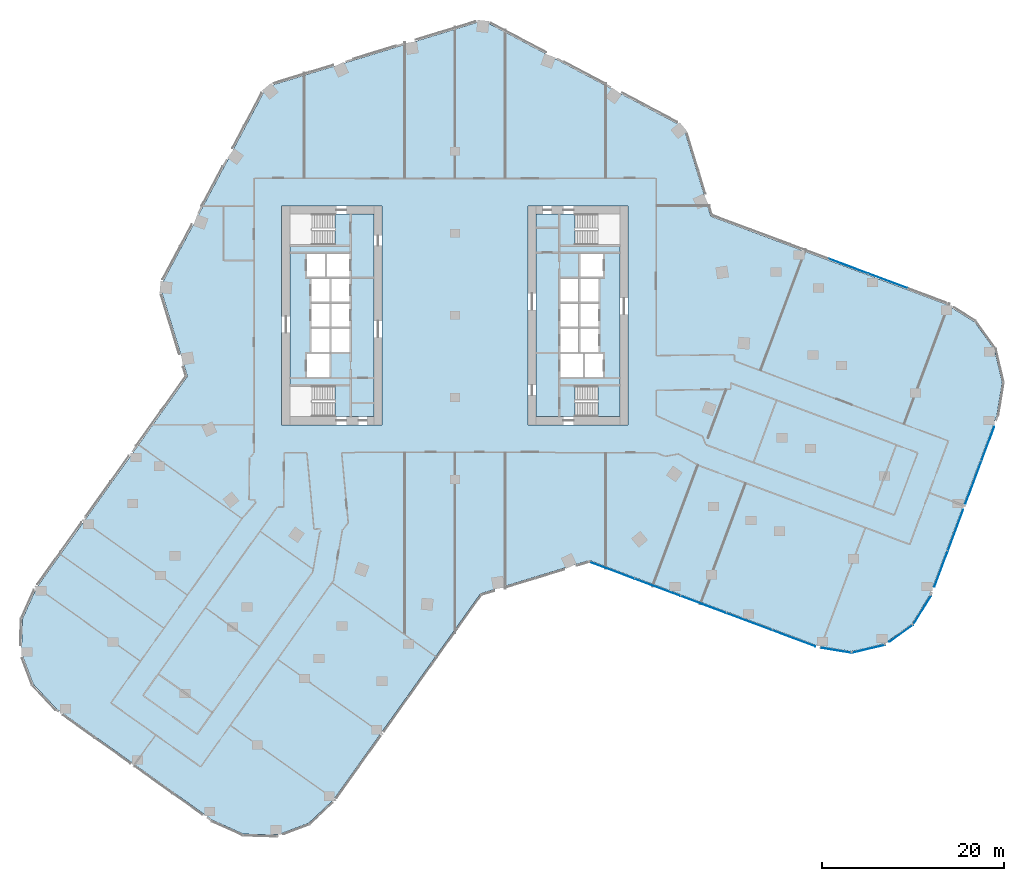
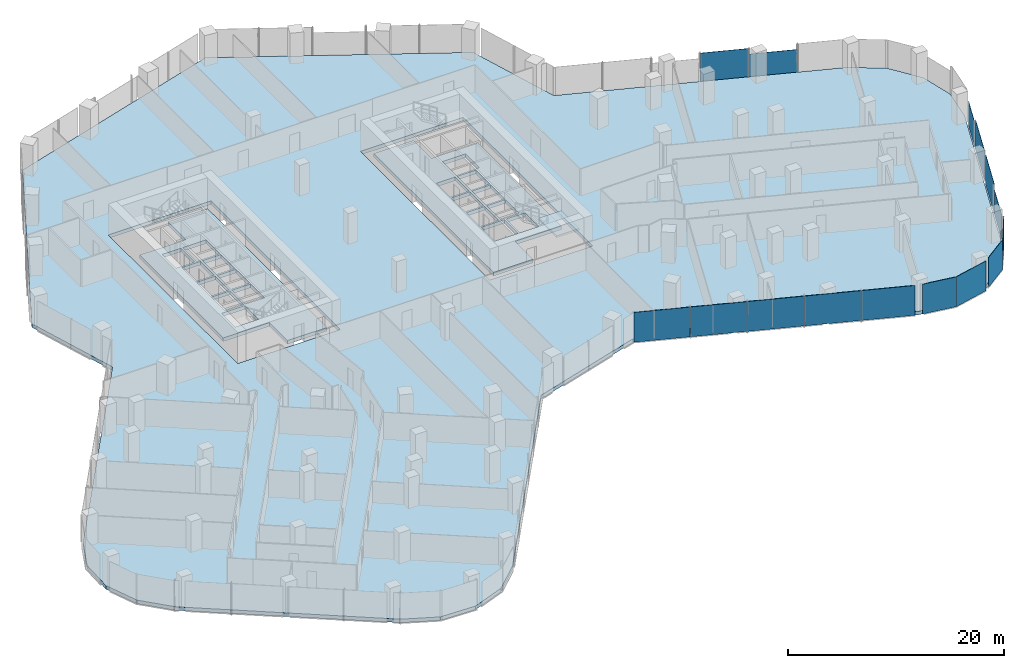
# One storey, part 19 of 31: 15 plates, 4 slabs, 8 elements without a shape of their own.
"""IFC4 building model written with IfcOpenShell, lengths in metres."""

import ifcopenshell
import ifcopenshell.guid

model = None  # the IFC model being written
_history = None  # IfcOwnerHistory: only IFC2X3 demands one
_inside = {}  # id of a spatial element -> (the spatial element, [elements in it])
_under = {}  # id of a project, library or spatial element -> (it, [spatial elements below it])
_declared = {}  # id of a project -> (the project, [libraries it declares])
_typed = {}  # id of a type object -> (the type object, [elements of that type])
_made_of = {}  # id of a material, layer set ... -> (it, [elements and type objects made of it])


def new_model(schema):
    """Start an empty IFC model of exactly this schema.

    Asked for "IFC4X3", IfcOpenShell would pick the latest addendum, in which some entities
    have other attributes; the version numbers below select the first issue.
    IFC2X3 requires an IfcOwnerHistory on every rooted entity: one is made here for all.
    """
    global model, _history
    if schema == "IFC4X3":
        model = ifcopenshell.file(schema_version=(4, 3, 0, 0))
    else:
        model = ifcopenshell.file(schema=schema)
    _inside.clear()
    _under.clear()
    _declared.clear()
    _typed.clear()
    _made_of.clear()
    _history = None
    if model.schema == "IFC2X3":
        org = make("IfcOrganization", Name="unknown")
        user = make(
            "IfcPersonAndOrganization",
            ThePerson=make("IfcPerson", FamilyName="unknown"),
            TheOrganization=org,
        )
        app = make(
            "IfcApplication",
            ApplicationDeveloper=org,
            Version="unknown",
            ApplicationFullName="unknown",
            ApplicationIdentifier="unknown",
        )
        _history = make(
            "IfcOwnerHistory",
            OwningUser=user,
            OwningApplication=app,
            ChangeAction="ADDED",
            CreationDate=0,
        )
    return model


def make(cls, **values):
    """One entity of the class cls with the attributes given. An attribute that is None is left unset."""
    return model.create_entity(
        cls, **{name: value for name, value in values.items() if value is not None}
    )


def rooted(cls, **values):
    """An entity with a GlobalId (a new one), such as an element, a storey or a relation."""
    return make(cls, GlobalId=ifcopenshell.guid.new(), OwnerHistory=_history, **values)


def si_unit(unit_type, name, prefix=None):
    """IfcSIUnit, for example si_unit("LENGTHUNIT", "METRE", prefix="MILLI")."""
    return make("IfcSIUnit", UnitType=unit_type, Prefix=prefix, Name=name)


def assignment(units):
    """IfcUnitAssignment: the units of a project."""
    return None if units is None else make("IfcUnitAssignment", Units=units)


def point(xyz):
    """IfcCartesianPoint."""
    return None if xyz is None else make("IfcCartesianPoint", Coordinates=xyz)


def direction(xyz):
    """IfcDirection."""
    return None if xyz is None else make("IfcDirection", DirectionRatios=xyz)


def frame(location, z_axis=None, x_axis=None):
    """IfcAxis2Placement3D, a coordinate frame: its origin and axes. An axis left out is left unset."""
    return make(
        "IfcAxis2Placement3D",
        Location=point(location),
        Axis=direction(z_axis),
        RefDirection=direction(x_axis),
    )


def frame_2d(location, x_axis=None):
    """IfcAxis2Placement2D, a coordinate frame in the plane: its origin and x axis."""
    return make(
        "IfcAxis2Placement2D", Location=point(location), RefDirection=direction(x_axis)
    )


def origin():
    """The frame at (0, 0, 0) with its axes left unset."""
    return frame((0.0, 0.0, 0.0))


def origin_2d():
    """The frame at (0, 0) in the plane with its x axis left unset."""
    return frame_2d((0.0, 0.0))


def place(relative_to, where):
    """IfcLocalPlacement: puts the frame where relative to a parent placement (None: the world)."""
    return make(
        "IfcLocalPlacement", PlacementRelTo=relative_to, RelativePlacement=where
    )


def context(
    kind, dimensions, precision=None, world=None, true_north=None, identifier=None
):
    """IfcGeometricRepresentationContext, for example the 3D "Model" context."""
    return make(
        "IfcGeometricRepresentationContext",
        ContextIdentifier=identifier,
        ContextType=kind,
        CoordinateSpaceDimension=dimensions,
        Precision=precision,
        WorldCoordinateSystem=world,
        TrueNorth=true_north,
    )


def subcontext(parent, identifier, kind, view, scale=None):
    """IfcGeometricRepresentationSubContext, for example "Body" below "Model"."""
    return make(
        "IfcGeometricRepresentationSubContext",
        ContextIdentifier=identifier,
        ContextType=kind,
        ParentContext=parent,
        TargetScale=scale,
        TargetView=view,
    )


def project(units=None, contexts=None):
    """IfcProject with its units and contexts."""
    return rooted(
        "IfcProject",
        Name="project",
        RepresentationContexts=contexts,
        UnitsInContext=assignment(units),
    )


def spatial(cls, under=None, at=None, **own):
    """A site, building, storey or space (cls), placed at a placement, below another one or the project."""
    s = rooted(cls, ObjectPlacement=at, **own)
    if under is not None:
        _under.setdefault(under.id(), (under, []))[1].append(s)
    return s


def polyline(points):
    """IfcPolyline through the points."""
    return make("IfcPolyline", Points=[point(p) for p in points])


def profile(cls, at=None, kind="AREA", **sizes):
    """A parametric profile (cls). Its sizes go by their IFC names, for example OverallWidth=200.0."""
    return make(cls, ProfileType=kind, Position=at, **sizes)


def rectangle(**sizes):
    """IfcRectangleProfileDef."""
    return profile("IfcRectangleProfileDef", **sizes)


def outline(outer, holes=None, kind="AREA"):
    """IfcArbitraryClosedProfileDef: a profile drawn as a closed curve; with holes, ...WithVoids."""
    if holes is None:
        return make("IfcArbitraryClosedProfileDef", ProfileType=kind, OuterCurve=outer)
    return make(
        "IfcArbitraryProfileDefWithVoids",
        ProfileType=kind,
        OuterCurve=outer,
        InnerCurves=holes,
    )


def extrude(swept, where, along, depth):
    """IfcExtrudedAreaSolid: the profile swept, set in the frame where, extruded along a direction by depth."""
    return make(
        "IfcExtrudedAreaSolid",
        SweptArea=swept,
        Position=where,
        ExtrudedDirection=direction(along),
        Depth=depth,
    )


def shape(context_of_items, identifier, shape_type, items):
    """IfcShapeRepresentation: the items that make up one representation, for example the "Body"."""
    return make(
        "IfcShapeRepresentation",
        ContextOfItems=context_of_items,
        RepresentationIdentifier=identifier,
        RepresentationType=shape_type,
        Items=items,
    )


def material(Name=None, Category=None):
    """IfcMaterial."""
    return make("IfcMaterial", Name=Name, Category=Category)


def layer(
    of_material, thickness, ventilated=None, Name=None, Category=None, Priority=None
):
    """IfcMaterialLayer: one layer of a wall or slab, of a material (None: an air gap)."""
    return make(
        "IfcMaterialLayer",
        Material=of_material,
        LayerThickness=thickness,
        IsVentilated=ventilated,
        Name=Name,
        Category=Category,
        Priority=Priority,
    )


def layer_set(layers, Name=None):
    """IfcMaterialLayerSet."""
    return make("IfcMaterialLayerSet", MaterialLayers=layers, LayerSetName=Name)


def made_of(thing, what):
    """Note that an element or type object is made of a material, layer set ...; save() writes the relation."""
    if what is not None:
        _made_of.setdefault(what.id(), (what, []))[1].append(thing)
    return thing


def type_object(cls, material=None, **own):
    """A type object (cls), such as IfcWallType, which elements share."""
    return made_of(rooted(cls, **own), material)


def element(
    cls,
    number,
    at=None,
    inside=None,
    cuts=None,
    type_object=None,
    material=None,
    context=None,
    identifier="Body",
    shape_type=None,
    held_by="IfcProductDefinitionShape",
    body=None,
    shapes=None,
    **own,
):
    """One element of the class cls, such as IfcWall. Its Tag is "e" and its number.

    at: its placement. inside: the storey or other place that contains it. cuts: it is an
    opening in that element (IfcRelVoidsElement). A single representation is given by context,
    identifier, shape_type and body (its items); several are given by shapes. held_by: the class
    of the entity that holds the representations. save() writes the other relations.
    """
    e = rooted(cls, Tag="e%d" % number, ObjectPlacement=at, **own)
    if body is not None:
        shapes = [shape(context, identifier, shape_type, body)]
    if shapes is not None:
        e.Representation = make(held_by, Representations=shapes)
    if inside is not None:
        _inside.setdefault(inside.id(), (inside, []))[1].append(e)
    if cuts is not None:
        rooted(
            "IfcRelVoidsElement", RelatingBuildingElement=cuts, RelatedOpeningElement=e
        )
    if type_object is not None:
        _typed.setdefault(type_object.id(), (type_object, []))[1].append(e)
    return made_of(e, material)


def aggregate(whole, parts):
    """IfcRelAggregates: a whole, such as a stair, and the parts it consists of."""
    return rooted("IfcRelAggregates", RelatingObject=whole, RelatedObjects=parts)


def save(model, path):
    """Write the relations noted so far, then the file.

    IfcRelAggregates (storeys below a building ...), IfcRelContainedInSpatialStructure (elements
    in a storey), IfcRelDefinesByType, IfcRelAssociatesMaterial and IfcRelDeclares: one each for
    every whole, place, type object, material and project.
    """
    for whole, parts in _under.values():
        aggregate(whole, parts)
    for where, things in _inside.values():
        rooted(
            "IfcRelContainedInSpatialStructure",
            RelatedElements=things,
            RelatingStructure=where,
        )
    for kind, things in _typed.values():
        rooted("IfcRelDefinesByType", RelatedObjects=things, RelatingType=kind)
    for what, things in _made_of.values():
        rooted("IfcRelAssociatesMaterial", RelatedObjects=things, RelatingMaterial=what)
    for by, libraries in _declared.values():
        rooted("IfcRelDeclares", RelatingContext=by, RelatedDefinitions=libraries)
    model.write(path)


model = new_model("IFC4")

# Units and contexts
model_context = context("Model", 3, precision=1e-05, world=origin(), true_north=direction((0.0, 1.0)))
body_context = subcontext(model_context, "Body", "Model", "MODEL_VIEW")
ifc_project = project(units=[si_unit("LENGTHUNIT", "METRE"), si_unit("AREAUNIT", "SQUARE_METRE"), si_unit("VOLUMEUNIT", "CUBIC_METRE"), si_unit("PLANEANGLEUNIT", "RADIAN"), si_unit("MASSUNIT", "GRAM", prefix="KILO")], contexts=[model_context])

# Site, building, storey
site_placement = place(None, origin())
site = spatial("IfcSite", under=ifc_project, at=site_placement, CompositionType="ELEMENT")
building_placement = place(site_placement, origin())
building = spatial("IfcBuilding", under=site, at=building_placement, Name="Orlundy Tower", CompositionType="ELEMENT")
storey_placement = place(building_placement, frame((0.0, 0.0, 94.699951171875)))
storey = spatial("IfcBuildingStorey", under=building, at=storey_placement, Name="L23", CompositionType="ELEMENT", Elevation=94.699951171875)

# Curtain wall, plates
ifc_material_1 = material(Name="Aluminium bronze anodised", Category="aluminium")
curtain_wall_type = type_object("IfcCurtainWallType", Name="CW1 wall", PredefinedType="NOTDEFINED", material=ifc_material_1)
curtain_wall_1_placement = place(storey_placement, origin())
curtain_wall_1 = element("IfcCurtainWall", 1, at=curtain_wall_1_placement, inside=storey, type_object=curtain_wall_type, Name="CW1 run 06", PredefinedType="NOTDEFINED")
ifc_material_2 = material(Name="Tinted glass", Category="glass")
ifc_layer_1 = layer(ifc_material_2, 0.031982421875)
ifc_layer_set_1 = layer_set([ifc_layer_1], Name="CW1 glass panel 32")
plate_type = type_object("IfcPlateType", Name="CW1 glass panel 32", PredefinedType="CURTAIN_PANEL", material=ifc_layer_set_1)
plate_1_placement = place(storey_placement, frame((43.14990234375, 5.39404296875, -0.27978515625), z_axis=(0.0, 0.0, 1.0), x_axis=(0.93667352363, -0.350203812273, 0.0)))
plate_1 = element("IfcPlate", 2, at=plate_1_placement, type_object=plate_type, Name="CW1 panel", PredefinedType="CURTAIN_PANEL", context=body_context, shape_type="SweptSolid", body=[
    extrude(rectangle(XDim=4.538818359375, YDim=0.031982421875, at=origin_2d()), origin(), (0.0, 0.0, 1.0), 3.3798828125),
])
plate_2_placement = place(storey_placement, frame((47.4482421875, 3.787109375, -0.27978515625), z_axis=(0.0, 0.0, 1.0), x_axis=(0.93667352363, -0.350203812273, 0.0)))
plate_2 = element("IfcPlate", 3, at=plate_2_placement, type_object=plate_type, Name="CW1 panel", PredefinedType="CURTAIN_PANEL", context=body_context, shape_type="SweptSolid", body=[
    extrude(rectangle(XDim=4.538818359375, YDim=0.031982421875, at=origin_2d()), origin(), (0.0, 0.0, 1.0), 2.739990234375),
])
aggregate(curtain_wall_1, [plate_1, plate_2])

curtain_wall_2_placement = place(storey_placement, origin())
curtain_wall_2 = element("IfcCurtainWall", 4, at=curtain_wall_2_placement, inside=storey, type_object=curtain_wall_type, Name="CW1 run 011", PredefinedType="NOTDEFINED")
plate_3_placement = place(storey_placement, frame((58.4267578125, -14.09716796875, -0.27978515625), z_axis=(0.0, 0.0, 1.0), x_axis=(-0.350194360916, -0.936677057252, 0.0)))
plate_3 = element("IfcPlate", 5, at=plate_3_placement, type_object=plate_type, Name="CW1 panel", PredefinedType="CURTAIN_PANEL", context=body_context, shape_type="SweptSolid", body=[
    extrude(rectangle(XDim=3.96337890625, YDim=0.031982421875, at=origin_2d()), origin(), (0.0, 0.0, 1.0), 2.763916015625),
])
plate_4_placement = place(storey_placement, frame((56.8427734375, -18.33447265625, -0.27978515625), z_axis=(0.0, 0.0, 1.0), x_axis=(-0.350194360916, -0.936677057252, 0.0)))
plate_4 = element("IfcPlate", 6, at=plate_4_placement, type_object=plate_type, Name="CW1 panel", PredefinedType="CURTAIN_PANEL", context=body_context, shape_type="SweptSolid", body=[
    extrude(rectangle(XDim=4.98388671875, YDim=0.031982421875, at=origin_2d()), origin(), (0.0, 0.0, 1.0), 3.3798828125),
])
plate_5_placement = place(storey_placement, frame((54.889892578125, -23.557861328125, -0.27978515625), z_axis=(0.0, 0.0, 1.0), x_axis=(-0.350194360916, -0.936677057252, 0.0)))
plate_5 = element("IfcPlate", 7, at=plate_5_placement, type_object=plate_type, Name="CW1 panel", PredefinedType="CURTAIN_PANEL", context=body_context, shape_type="SweptSolid", body=[
    extrude(rectangle(XDim=4.76318359375, YDim=0.031982421875, at=origin_2d()), origin(), (0.0, 0.0, 1.0), 3.3798828125),
])
plate_6_placement = place(storey_placement, frame((53.3056640625, -27.795166015625, -0.27978515625), z_axis=(0.0, 0.0, 1.0), x_axis=(-0.350194360916, -0.936677057252, 0.0)))
plate_6 = element("IfcPlate", 8, at=plate_6_placement, type_object=plate_type, Name="CW1 panel", PredefinedType="CURTAIN_PANEL", context=body_context, shape_type="SweptSolid", body=[
    extrude(rectangle(XDim=4.184326171875, YDim=0.031982421875, at=origin_2d()), origin(), (0.0, 0.0, 1.0), 2.763916015625),
])
aggregate(curtain_wall_2, [plate_3, plate_4, plate_5, plate_6])

# Curtain wall, plate
curtain_wall_3_placement = place(storey_placement, origin())
curtain_wall_3 = element("IfcCurtainWall", 9, at=curtain_wall_3_placement, inside=storey, type_object=curtain_wall_type, Name="CW1 run 012", PredefinedType="NOTDEFINED")
plate_7_placement = place(storey_placement, frame((51.2080078125, -32.35205078125, -0.27978515625), z_axis=(0.0, 0.0, 1.0), x_axis=(-0.52630817917, -0.850293890686, 0.0)))
plate_7 = element("IfcPlate", 10, at=plate_7_placement, type_object=plate_type, Name="CW1 panel", PredefinedType="CURTAIN_PANEL", context=body_context, shape_type="SweptSolid", body=[
    extrude(rectangle(XDim=3.730712890625, YDim=0.031982421875, at=origin_2d()), origin(), (0.0, 0.0, 1.0), 3.3798828125),
])
aggregate(curtain_wall_3, [plate_7])

curtain_wall_4_placement = place(storey_placement, origin())
curtain_wall_4 = element("IfcCurtainWall", 11, at=curtain_wall_4_placement, inside=storey, type_object=curtain_wall_type, Name="CW1 run 013", PredefinedType="NOTDEFINED")
plate_8_placement = place(storey_placement, frame((48.9365234375, -34.86669921875, -0.27978515625), z_axis=(0.0, 0.0, 1.0), x_axis=(-0.811503638082, -0.584347367051, 0.0)))
plate_8 = element("IfcPlate", 12, at=plate_8_placement, type_object=plate_type, Name="CW1 panel", PredefinedType="CURTAIN_PANEL", context=body_context, shape_type="SweptSolid", body=[
    extrude(rectangle(XDim=3.178466796875, YDim=0.031982421875, at=origin_2d()), origin(), (0.0, 0.0, 1.0), 3.3798828125),
])
aggregate(curtain_wall_4, [plate_8])

curtain_wall_5_placement = place(storey_placement, origin())
curtain_wall_5 = element("IfcCurtainWall", 13, at=curtain_wall_5_placement, inside=storey, type_object=curtain_wall_type, Name="CW1 run 014", PredefinedType="NOTDEFINED")
plate_9_placement = place(storey_placement, frame((45.32958984375, -36.57470703125, -0.27978515625), z_axis=(0.0, 0.0, 1.0), x_axis=(-0.97335344577, -0.229309985845, 0.0)))
plate_9 = element("IfcPlate", 14, at=plate_9_placement, type_object=plate_type, Name="CW1 panel", PredefinedType="CURTAIN_PANEL", context=body_context, shape_type="SweptSolid", body=[
    extrude(rectangle(XDim=3.77197265625, YDim=0.031982421875, at=origin_2d()), origin(), (0.0, 0.0, 1.0), 3.3798828125),
])
aggregate(curtain_wall_5, [plate_9])

curtain_wall_6_placement = place(storey_placement, origin())
curtain_wall_6 = element("IfcCurtainWall", 15, at=curtain_wall_6_placement, inside=storey, type_object=curtain_wall_type, Name="CW1 run 015", PredefinedType="NOTDEFINED")
plate_10_placement = place(storey_placement, frame((41.84814453125, -36.739013671875, -0.27978515625), z_axis=(0.0, 0.0, 1.0), x_axis=(-0.986992343076, 0.160767268774, 0.0)))
plate_10 = element("IfcPlate", 16, at=plate_10_placement, type_object=plate_type, Name="CW1 panel", PredefinedType="CURTAIN_PANEL", context=body_context, shape_type="SweptSolid", body=[
    extrude(rectangle(XDim=3.334716796875, YDim=0.031982421875, at=origin_2d()), origin(), (0.0, 0.0, 1.0), 3.3798828125),
])
aggregate(curtain_wall_6, [plate_10])

# Curtain wall, plates
curtain_wall_7_placement = place(storey_placement, origin())
curtain_wall_7 = element("IfcCurtainWall", 17, at=curtain_wall_7_placement, inside=storey, type_object=curtain_wall_type, Name="CW1 run 016", PredefinedType="NOTDEFINED")
plate_11_placement = place(storey_placement, frame((37.13427734375, -35.41162109375, -0.27978515625), z_axis=(0.0, 0.0, 1.0), x_axis=(-0.936667840729, 0.350219011684, 0.0)))
plate_11 = element("IfcPlate", 18, at=plate_11_placement, type_object=plate_type, Name="CW1 panel", PredefinedType="CURTAIN_PANEL", context=body_context, shape_type="SweptSolid", body=[
    extrude(rectangle(XDim=5.0322265625, YDim=0.031982421875, at=origin_2d()), origin(), (0.0, 0.0, 1.0), 3.3798828125),
])
plate_12_placement = place(storey_placement, frame((32.245361328125, -33.58349609375, -0.27978515625), z_axis=(0.0, 0.0, 1.0), x_axis=(-0.936667840729, 0.350219011684, 0.0)))
plate_12 = element("IfcPlate", 19, at=plate_12_placement, type_object=plate_type, Name="CW1 panel", PredefinedType="CURTAIN_PANEL", context=body_context, shape_type="SweptSolid", body=[
    extrude(rectangle(XDim=5.306640625, YDim=0.031982421875, at=origin_2d()), origin(), (0.0, 0.0, 1.0), 3.3798828125),
])
plate_13_placement = place(storey_placement, frame((27.22802734375, -31.70751953125, -0.27978515625), z_axis=(0.0, 0.0, 1.0), x_axis=(-0.936667840729, 0.350219011684, 0.0)))
plate_13 = element("IfcPlate", 20, at=plate_13_placement, type_object=plate_type, Name="CW1 panel", PredefinedType="CURTAIN_PANEL", context=body_context, shape_type="SweptSolid", body=[
    extrude(rectangle(XDim=5.306640625, YDim=0.031982421875, at=origin_2d()), origin(), (0.0, 0.0, 1.0), 3.3798828125),
])
plate_14_placement = place(storey_placement, frame((22.210693359375, -29.83154296875, -0.27978515625), z_axis=(0.0, 0.0, 1.0), x_axis=(-0.936667840729, 0.350219011684, 0.0)))
plate_14 = element("IfcPlate", 21, at=plate_14_placement, type_object=plate_type, Name="CW1 panel", PredefinedType="CURTAIN_PANEL", context=body_context, shape_type="SweptSolid", body=[
    extrude(rectangle(XDim=5.306640625, YDim=0.031982421875, at=origin_2d()), origin(), (0.0, 0.0, 1.0), 3.3798828125),
])
plate_15_placement = place(storey_placement, frame((17.20751953125, -27.9609375, -0.27978515625), z_axis=(0.0, 0.0, 1.0), x_axis=(-0.936667840729, 0.350219011684, 0.0)))
plate_15 = element("IfcPlate", 22, at=plate_15_placement, type_object=plate_type, Name="CW1 panel", PredefinedType="CURTAIN_PANEL", context=body_context, shape_type="SweptSolid", body=[
    extrude(rectangle(XDim=5.27587890625, YDim=0.031982421875, at=origin_2d()), origin(), (0.0, 0.0, 1.0), 3.3798828125),
])
aggregate(curtain_wall_7, [plate_11, plate_12, plate_13, plate_14, plate_15])

# Slabs
ifc_material_3 = material(Name="Concrete C50/60", Category="concrete")
ifc_layer_2 = layer(ifc_material_3, 0.409912109375)
ifc_layer_set_2 = layer_set([ifc_layer_2], Name="Core Floor Slab 410")
slab_type_1 = type_object("IfcSlabType", Name="Core Floor Slab 410", PredefinedType="FLOOR", material=ifc_layer_set_2)
slab_1_placement = place(storey_placement, frame((0.0, 0.0, -0.409912109375)))
element("IfcSlab", 23, at=slab_1_placement, inside=storey, type_object=slab_type_1, Name="Core floor W18", PredefinedType="FLOOR", context=body_context, shape_type="SweptSolid", body=[
    extrude(outline(polyline([(-13.14501953125, 7.75), (-13.14501953125, 11.10009765625), (-8.89990234375, 11.10009765625), (-8.89990234375, -11.10009765625), (-13.14501953125, -11.10009765625), (-13.14501953125, -7.75), (-18.10009765625, -7.75), (-18.10009765625, 7.75), (-13.14501953125, 7.75)]), holes=[polyline([(-16.239990234375, -6.77490234375), (-13.739990234375, -6.77490234375), (-13.739990234375, -4.22509765625), (-16.239990234375, -4.22509765625), (-16.239990234375, -6.77490234375)]), polyline([(-13.5400390625, -1.47509765625), (-13.5400390625, -4.02490234375), (-11.5400390625, -4.02490234375), (-11.5400390625, -1.47509765625), (-13.5400390625, -1.47509765625)]), polyline([(-13.739990234375, -1.47509765625), (-15.739990234375, -1.47509765625), (-15.739990234375, -4.02490234375), (-13.739990234375, -4.02490234375), (-13.739990234375, -1.47509765625)]), polyline([(-11.5400390625, -1.27490234375), (-11.5400390625, 1.27490234375), (-13.5400390625, 1.27490234375), (-13.5400390625, -1.27490234375), (-11.5400390625, -1.27490234375)]), polyline([(-15.739990234375, -1.27490234375), (-13.739990234375, -1.27490234375), (-13.739990234375, 1.27490234375), (-15.739990234375, 1.27490234375), (-15.739990234375, -1.27490234375)]), polyline([(-13.5400390625, 4.02490234375), (-13.5400390625, 1.47509765625), (-11.5400390625, 1.47509765625), (-11.5400390625, 4.02490234375), (-13.5400390625, 4.02490234375)]), polyline([(-13.739990234375, 4.02490234375), (-15.739990234375, 4.02490234375), (-15.739990234375, 1.47509765625), (-13.739990234375, 1.47509765625), (-13.739990234375, 4.02490234375)]), polyline([(-11.5400390625, 4.22509765625), (-11.5400390625, 6.77490234375), (-14.0400390625, 6.77490234375), (-14.0400390625, 4.22509765625), (-11.5400390625, 4.22509765625)]), polyline([(-16.239990234375, 4.22509765625), (-14.239990234375, 4.22509765625), (-14.239990234375, 6.77490234375), (-16.239990234375, 6.77490234375), (-16.239990234375, 4.22509765625)])]), origin(), (0.0, 0.0, 1.0), 0.409912109375),
])
slab_2_placement = place(storey_placement, frame((0.0, 0.0, -0.409912109375)))
element("IfcSlab", 24, at=slab_2_placement, inside=storey, type_object=slab_type_1, Name="Core floor E18", PredefinedType="FLOOR", context=body_context, shape_type="SweptSolid", body=[
    extrude(outline(polyline([(13.14501953125, -7.75), (13.14501953125, -11.10009765625), (8.89990234375, -11.10009765625), (8.89990234375, 11.10009765625), (13.14501953125, 11.10009765625), (13.14501953125, 7.75), (18.10009765625, 7.75), (18.10009765625, -7.75), (13.14501953125, -7.75)]), holes=[polyline([(16.239990234375, 6.77490234375), (13.739990234375, 6.77490234375), (13.739990234375, 4.22509765625), (16.239990234375, 4.22509765625), (16.239990234375, 6.77490234375)]), polyline([(13.5400390625, 1.47509765625), (13.5400390625, 4.02490234375), (11.5400390625, 4.02490234375), (11.5400390625, 1.47509765625), (13.5400390625, 1.47509765625)]), polyline([(13.739990234375, 1.47509765625), (15.739990234375, 1.47509765625), (15.739990234375, 4.02490234375), (13.739990234375, 4.02490234375), (13.739990234375, 1.47509765625)]), polyline([(11.5400390625, 1.27490234375), (11.5400390625, -1.27490234375), (13.5400390625, -1.27490234375), (13.5400390625, 1.27490234375), (11.5400390625, 1.27490234375)]), polyline([(15.739990234375, 1.27490234375), (13.739990234375, 1.27490234375), (13.739990234375, -1.27490234375), (15.739990234375, -1.27490234375), (15.739990234375, 1.27490234375)]), polyline([(13.5400390625, -4.02490234375), (13.5400390625, -1.47509765625), (11.5400390625, -1.47509765625), (11.5400390625, -4.02490234375), (13.5400390625, -4.02490234375)]), polyline([(13.739990234375, -4.02490234375), (15.739990234375, -4.02490234375), (15.739990234375, -1.47509765625), (13.739990234375, -1.47509765625), (13.739990234375, -4.02490234375)]), polyline([(11.5400390625, -4.22509765625), (11.5400390625, -6.77490234375), (14.0400390625, -6.77490234375), (14.0400390625, -4.22509765625), (11.5400390625, -4.22509765625)]), polyline([(16.239990234375, -4.22509765625), (14.239990234375, -4.22509765625), (14.239990234375, -6.77490234375), (16.239990234375, -6.77490234375), (16.239990234375, -4.22509765625)])]), origin(), (0.0, 0.0, 1.0), 0.409912109375),
])

# Stair, slab
ifc_material_4 = material(Name="Concrete C50/60", Category="concrete")
stair_type = type_object("IfcStairType", Name="Exit Stair 20 risers", PredefinedType="HALF_TURN_STAIR", material=ifc_material_4)
stair_placement = place(storey_placement, origin())
stair = element("IfcStair", 25, at=stair_placement, inside=storey, type_object=stair_type, Name="L23 Exit Stair ST-E1", PredefinedType="HALF_TURN_STAIR")
ifc_material_5 = material(Name="Concrete C50/60", Category="concrete")
ifc_layer_3 = layer(ifc_material_5, 0.199951171875)
ifc_layer_set_3 = layer_set([ifc_layer_3], Name="Exit Stair Landing")
slab_type_2 = type_object("IfcSlabType", Name="Exit Stair Landing", PredefinedType="LANDING", material=ifc_layer_set_3)
slab_3_placement = place(storey_placement, frame((0.0, 0.0, 1.550048828125)))
slab_3 = element("IfcSlab", 26, at=slab_3_placement, type_object=slab_type_2, Name="ST-E1 landing 1", PredefinedType="LANDING", context=body_context, shape_type="SweptSolid", body=[
    extrude(outline(polyline([(15.659912109375, -11.10009765625), (18.10009765625, -11.10009765625), (18.10009765625, -7.75), (15.659912109375, -7.75), (15.659912109375, -11.10009765625)])), origin(), (0.0, 0.0, 1.0), 0.199951171875),
])
aggregate(stair, [slab_3])

# Slab
ifc_material_6 = material(Name="Concrete C45/55", Category="concrete")
ifc_layer_4 = layer(ifc_material_6, 0.39990234375)
ifc_layer_set_4 = layer_set([ifc_layer_4], Name="FLOOR SLAB THICK 400 C45/55")
slab_type_3 = type_object("IfcSlabType", Name="FLOOR SLAB THICK 400 C45/55", PredefinedType="FLOOR", material=ifc_layer_set_4)
slab_4_placement = place(storey_placement, frame((0.0, 0.0, -0.39990234375)))
element("IfcSlab", 27, at=slab_4_placement, inside=storey, type_object=slab_type_3, Name="Floor slab L23", PredefinedType="FLOOR", context=body_context, shape_type="SweptSolid", body=[
    extrude(outline(polyline([(-29.3291015625, -6.677001953125), (-32.322021484375, 3.112060546875), (-20.655029296875, 25.055908203125), (3.112060546875, 32.322021484375), (25.055908203125, 20.655029296875), (28.049072265625, 10.864990234375), (53.837890625, 1.222900390625), (56.989990234375, -0.72705078125), (59.155029296875, -3.736083984375), (60.0048828125, -7.343994140625), (59.408935546875, -11.001953125), (52.054931640625, -30.672119140625), (50.10400390625, -33.823974609375), (47.095947265625, -35.989990234375), (43.488037109375, -36.840087890625), (39.8291015625, -36.243896484375), (14.741943359375, -26.864013671875), (2.801025390625, -30.513916015625), (-13.333984375, -53.134033203125), (-16.032958984375, -55.674072265625), (-19.5, -56.987060546875), (-23.205078125, -56.8740234375), (-26.583984375, -55.35107421875), (-43.680908203125, -43.156982421875), (-46.220947265625, -40.45703125), (-47.533935546875, -36.989990234375), (-47.4208984375, -33.284912109375), (-45.89794921875, -29.906005859375), (-29.3291015625, -6.677001953125)]), holes=[polyline([(-8.0, -12.0), (-8.0, 12.0), (-19.0, 12.0), (-19.0, -12.0), (-8.0, -12.0)]), polyline([(19.0, -12.0), (19.0, 12.0), (8.0, 12.0), (8.0, -12.0), (19.0, -12.0)])]), origin(), (0.0, 0.0, 1.0), 0.39990234375),
])

save(model, "model.ifc")
